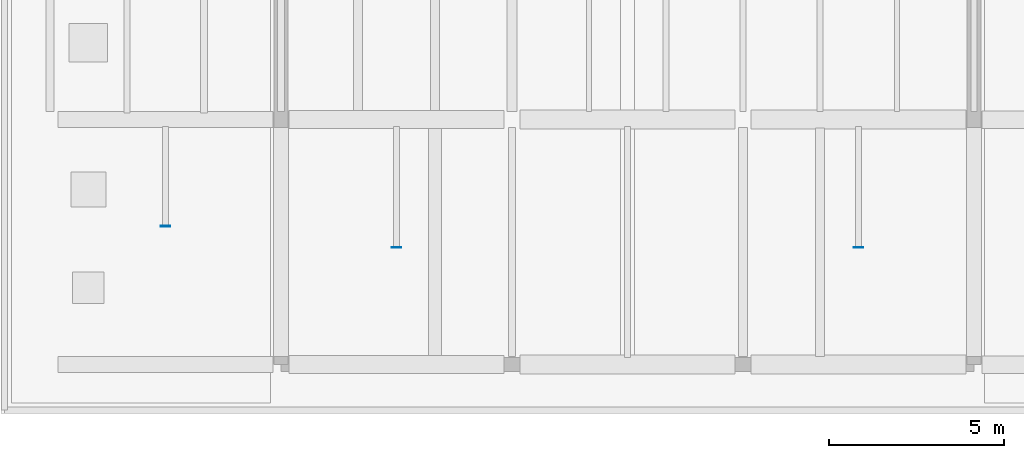
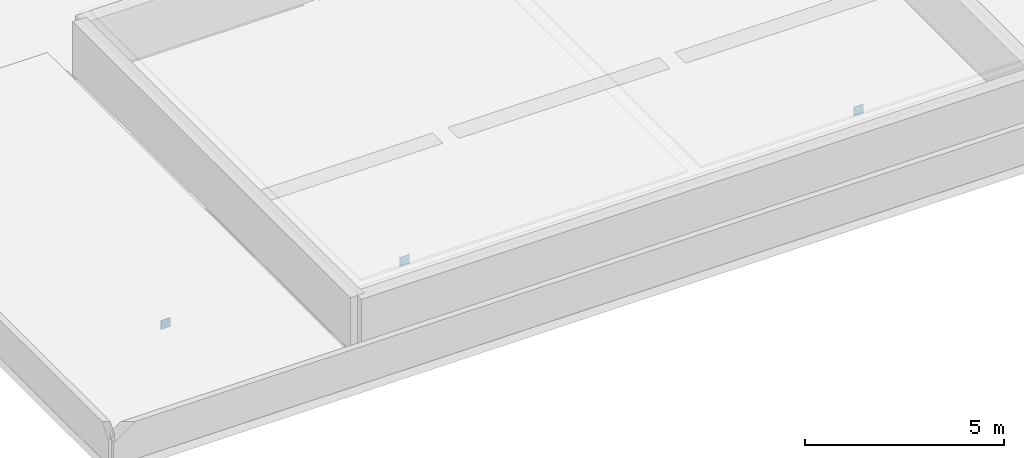
# One storey, part 3 of 6: 3 plates.
"""IFC4 building model written with IfcOpenShell, lengths in metres."""

from ifc_helpers import new_model, si_unit, direction, frame, origin, origin_2d, place, context, subcontext, project, spatial, rectangle, extrude, material, layer, layer_set, type_object, element, save


model = new_model("IFC4")

# Units and contexts
model_context = context("Model", 3, precision=1e-05, world=origin(), true_north=direction((0.0, 1.0)))
body_context = subcontext(model_context, "Body", "Model", "MODEL_VIEW")
ifc_project = project(units=[si_unit("LENGTHUNIT", "METRE"), si_unit("AREAUNIT", "SQUARE_METRE"), si_unit("VOLUMEUNIT", "CUBIC_METRE"), si_unit("PLANEANGLEUNIT", "RADIAN"), si_unit("MASSUNIT", "GRAM", prefix="KILO")], contexts=[model_context])

# Site, building, storey
site_placement = place(None, origin())
site = spatial("IfcSite", under=ifc_project, at=site_placement, CompositionType="ELEMENT")
building_placement = place(site_placement, origin())
building = spatial("IfcBuilding", under=site, at=building_placement, Name="Ciguamira Faculty of Natural Sciences", CompositionType="ELEMENT")
storey_placement = place(building_placement, frame((0.0, 0.0, 50.39990234375)))
storey = spatial("IfcBuildingStorey", under=building, at=storey_placement, Name="Roof", CompositionType="ELEMENT", Elevation=50.39990234375)

# Plates
ifc_material = material(Name="Steel ASTM A572 Grade 50", Category="steel")
ifc_layer = layer(ifc_material, 0.01611328125, Name="Steel ASTM A572 Grade 50")
ifc_layer_set = layer_set([ifc_layer], Name="Steel ASTM A572 Grade 50")
plate_type = type_object("IfcPlateType", Name="GussetPlate_EP-01", PredefinedType="SHEET", material=ifc_layer_set)
for number, where, z_axis, x_axis, name in (
    (1, (73.800048828125, 97.951904296875, -0.6044921875), (0.0, 0.0, 1.0), (1.0, 0.0, 0.0), "Roof eave outrigger 001 core-wall cast-in plate"),
    (2, (80.39990234375, 97.342041015625, -0.6044921875), (0.0, 0.0, 1.0), (1.0, 0.0, 0.0), "Roof eave outrigger 003 core-wall cast-in plate"),
    (3, (93.60009765625, 97.342041015625, -0.6044921875), (0.0, 0.0, 1.0), (1.0, 0.0, 0.0), "Roof eave outrigger 007 core-wall cast-in plate"),
):
    element("IfcPlate", number, at=place(storey_placement, frame(where, z_axis=z_axis, x_axis=x_axis)), inside=storey, type_object=plate_type, Name=name, PredefinedType="SHEET", context=body_context, shape_type="SweptSolid", body=[
        extrude(rectangle(XDim=0.280029296875, YDim=0.01611328125, at=origin_2d()), origin(), (0.0, 0.0, 1.0), 0.280029296875),
    ])

save(model, "model.ifc")
